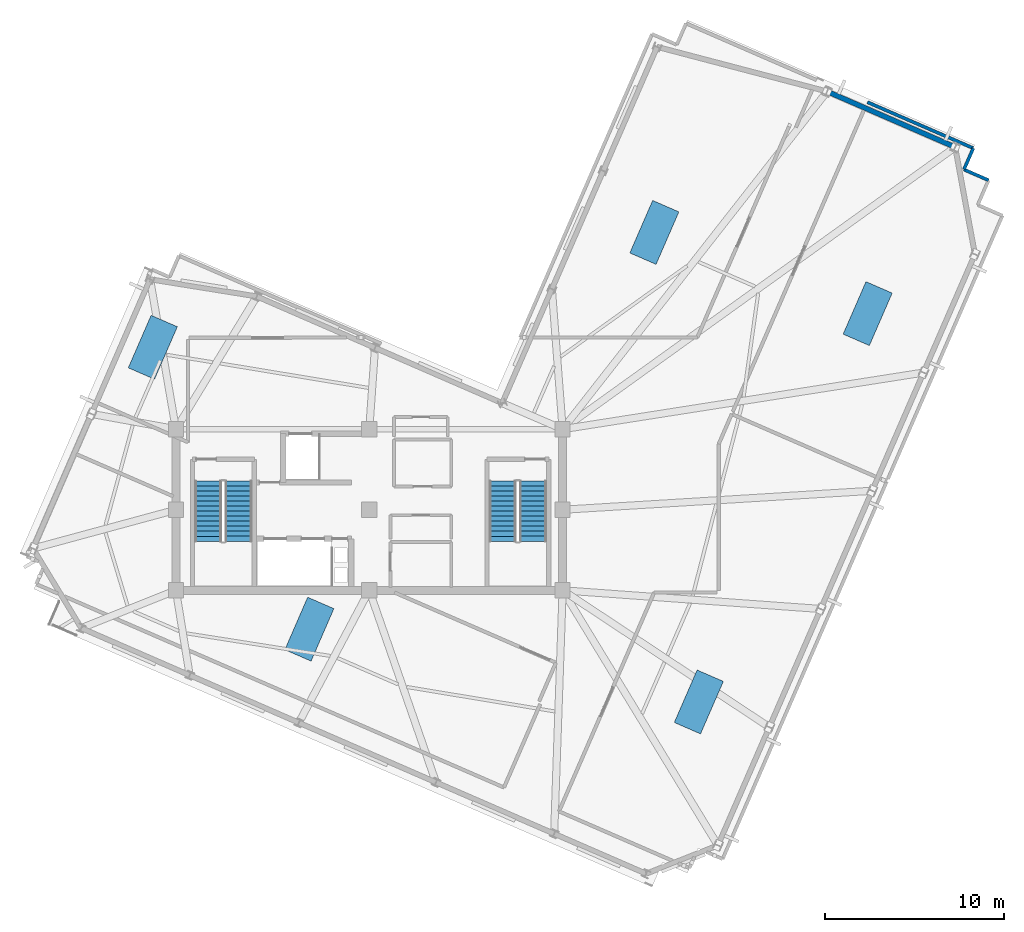
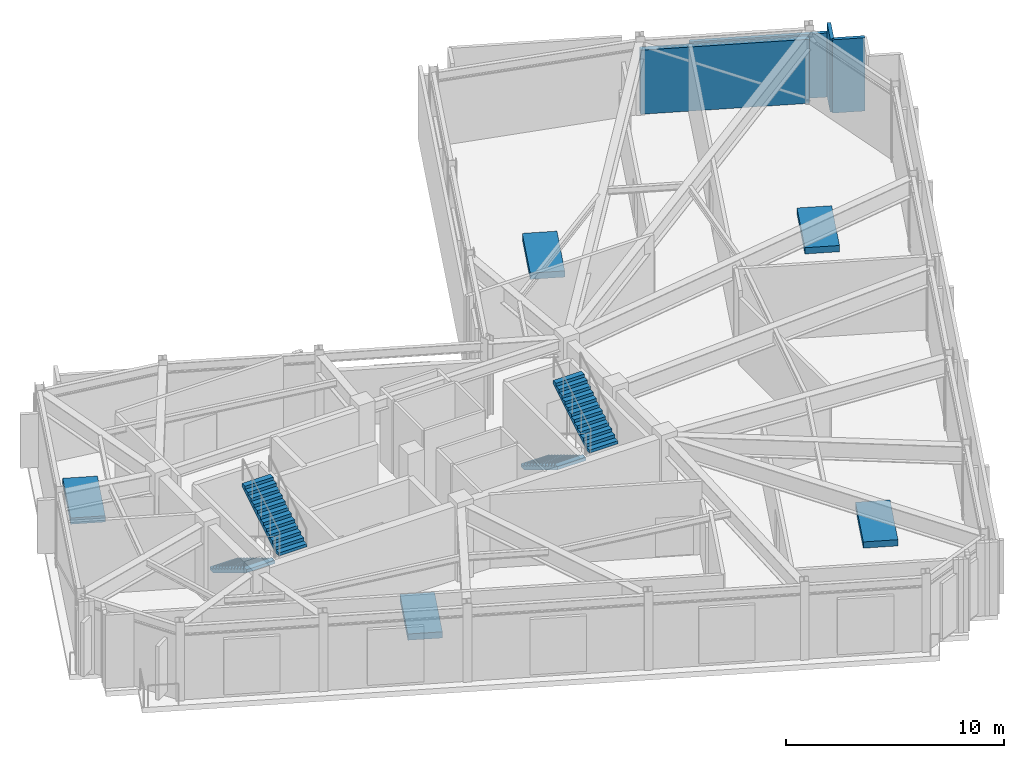
# One storey, part 8 of 11: 5 discrete accessories, 4 stair flights, 4 walls, 2 elements without a shape of their own.
"""IFC4 building model written with IfcOpenShell, lengths in metres."""

from ifc_helpers import new_model, si_unit, direction, frame, frame_2d, origin, origin_2d, place, context, subcontext, project, spatial, polyline, rectangle, outline, extrude, material, layer, layer_set, type_object, element, aggregate, save


model = new_model("IFC4")

# Units and contexts
model_context = context("Model", 3, precision=1e-05, world=origin(), true_north=direction((0.0, 1.0)))
body_context = subcontext(model_context, "Body", "Model", "MODEL_VIEW")
ifc_project = project(units=[si_unit("LENGTHUNIT", "METRE"), si_unit("AREAUNIT", "SQUARE_METRE"), si_unit("VOLUMEUNIT", "CUBIC_METRE"), si_unit("PLANEANGLEUNIT", "RADIAN"), si_unit("MASSUNIT", "GRAM", prefix="KILO")], contexts=[model_context])

# Site, building, storey
site_placement = place(None, origin())
site = spatial("IfcSite", under=ifc_project, at=site_placement, CompositionType="ELEMENT")
building_placement = place(site_placement, origin())
building = spatial("IfcBuilding", under=site, at=building_placement, Name="Gaonmaruhae Medical Tower", CompositionType="ELEMENT")
storey_placement = place(building_placement, frame((0.0, 0.0, 338.199951171875)))
storey = spatial("IfcBuildingStorey", under=building, at=storey_placement, Name="L81", CompositionType="ELEMENT", Elevation=338.199951171875)

# Walls
ifc_material_1 = material(Name="Precast concrete C45/55", Category="concrete")
ifc_layer_1 = layer(ifc_material_1, 0.280029296875)
ifc_layer_set_1 = layer_set([ifc_layer_1], Name="Precast concrete C45/55")
wall_type_1 = type_object("IfcWallType", Name="EW-280 Upper Precast Masonry-Frame Facade Wall", PredefinedType="SOLIDWALL", material=ifc_layer_set_1)
wall_1_placement = place(storey_placement, frame((50.372802734375, 35.662841796875, 0.0), z_axis=(0.0, 0.0, 1.0), x_axis=(0.917055127211, -0.398760446454, 0.0)))
element("IfcWall", 1, at=wall_1_placement, inside=storey, type_object=wall_type_1, Name="L81 Precast Masonry-Frame Wall E01-E02", PredefinedType="SOLIDWALL", context=body_context, shape_type="SweptSolid", body=[
    extrude(rectangle(XDim=7.800048828125, YDim=0.280029296875, at=frame_2d((3.89990234375, 0.0))), origin(), (0.0, 0.0, 1.0), 3.5849609375),
])
ifc_material_2 = material(Name="Gypsum board partition", Category="gypsum")
ifc_layer_2 = layer(ifc_material_2, 0.179931640625)
ifc_layer_set_2 = layer_set([ifc_layer_2], Name="Gypsum board partition")
wall_type_2 = type_object("IfcWallType", Name="PW-180 Refuge & Plant Acoustic Fire Partition", PredefinedType="PARTITIONING", material=ifc_layer_set_2)
wall_2_placement = place(storey_placement, frame((52.62109375, 35.06689453125, 0.0), z_axis=(0.0, 0.0, 1.0), x_axis=(0.917092918999, -0.398673522975, 0.0)))
element("IfcWall", 2, at=wall_2_placement, inside=storey, type_object=wall_type_2, Name="L81 Interior Partition L81-CAHU-29", PredefinedType="PARTITIONING", context=body_context, shape_type="SweptSolid", body=[
    extrude(rectangle(XDim=6.450927734375, YDim=0.179931640625, at=frame_2d((3.2255859375, 0.0))), origin(), (0.0, 0.0, 1.0), 3.5849609375),
])
wall_3_placement = place(storey_placement, frame((58.537109375, 32.4951171875, 0.0), z_axis=(0.0, 0.0, 1.0), x_axis=(-0.3991929402, -0.916866945906, 0.0)))
element("IfcWall", 3, at=wall_3_placement, inside=storey, type_object=wall_type_2, Name="L81 Interior Partition L81-CAHU-30", PredefinedType="PARTITIONING", context=body_context, shape_type="SweptSolid", body=[
    extrude(rectangle(XDim=1.30029296875, YDim=0.179931640625, at=frame_2d((0.650146484375, 0.0))), origin(), (0.0, 0.0, 1.0), 4.10009765625),
])
wall_4_placement = place(storey_placement, frame((58.01806640625, 31.302978515625, 0.0), z_axis=(0.0, 0.0, 1.0), x_axis=(0.91691738696, -0.399077067107, 0.0)))
element("IfcWall", 4, at=wall_4_placement, inside=storey, type_object=wall_type_2, Name="L81 Interior Partition L81-CAHU-31", PredefinedType="PARTITIONING", context=body_context, shape_type="SweptSolid", body=[
    extrude(rectangle(XDim=1.500732421875, YDim=0.179931640625, at=frame_2d((0.75048828125, 0.0))), origin(), (0.0, 0.0, 1.0), 4.10009765625),
])

# Stair, stair flights
ifc_material_3 = material(Name="Concrete C40/50", Category="concrete")
stair_type = type_object("IfcStairType", Name="ST-T1 Primary Core Escape Dogleg Stair", PredefinedType="TWO_QUARTER_TURN_STAIR", material=ifc_material_3)
stair_1_placement = place(storey_placement, origin())
stair_1 = element("IfcStair", 5, at=stair_1_placement, inside=storey, type_object=stair_type, Name="L81 Protected Escape Stair ST-01", PredefinedType="TWO_QUARTER_TURN_STAIR")
stair_flight_type = type_object("IfcStairFlightType", Name="SF-T1 Primary Core Precast Stair Flight", PredefinedType="STRAIGHT", material=ifc_material_3)
stair_flight_1_placement = place(storey_placement, frame((15.800048828125, 13.89990234375, 0.0), z_axis=(0.0, 0.0, 1.0), x_axis=(0.0, -1.0, 0.0)))
stair_flight_1 = element("IfcStairFlight", 6, at=stair_flight_1_placement, type_object=stair_flight_type, Name="ST-01 flight 1", NumberOfRisers=13, NumberOfTreads=12, PredefinedType="STRAIGHT", RiserHeight=0.169230769, TreadLength=0.28, context=body_context, shape_type="SweptSolid", body=[
    extrude(outline(polyline([(0.0, 0.0), (0.0, 0.169189453125), (0.280029296875, 0.169189453125), (0.280029296875, 0.33837890625), (0.56005859375, 0.33837890625), (0.56005859375, 0.5078125), (0.840087890625, 0.5078125), (0.840087890625, 0.677001953125), (1.1201171875, 0.677001953125), (1.1201171875, 0.84619140625), (1.39990234375, 0.84619140625), (1.39990234375, 1.015380859375), (1.679931640625, 1.015380859375), (1.679931640625, 1.1845703125), (1.9599609375, 1.1845703125), (1.9599609375, 1.353759765625), (2.239990234375, 1.353759765625), (2.239990234375, 1.523193359375), (2.52001953125, 1.523193359375), (2.52001953125, 1.6923828125), (2.800048828125, 1.6923828125), (2.800048828125, 1.861572265625), (3.080078125, 1.861572265625), (3.080078125, 2.03076171875), (3.360107421875, 2.03076171875), (3.360107421875, 2.199951171875), (3.360107421875, 1.855712890625), (0.289794921875, 0.0), (0.0, 0.0)])), frame((0.0, 0.75, 0.0), z_axis=(0.0, -1.0, 0.0), x_axis=(1.0, 0.0, 0.0)), (0.0, 0.0, 1.0), 1.5),
])
stair_flight_2_placement = place(storey_placement, frame((17.5, 10.5400390625, 2.199951171875), z_axis=(0.0, 0.0, 1.0), x_axis=(0.0, 1.0, 0.0)))
stair_flight_2 = element("IfcStairFlight", 7, at=stair_flight_2_placement, type_object=stair_flight_type, Name="ST-01 flight 2", NumberOfRisers=13, NumberOfTreads=12, PredefinedType="STRAIGHT", RiserHeight=0.169230769, TreadLength=0.28, context=body_context, shape_type="SweptSolid", body=[
    extrude(outline(polyline([(0.0, 0.0), (0.0, 0.169189453125), (0.280029296875, 0.169189453125), (0.280029296875, 0.33837890625), (0.56005859375, 0.33837890625), (0.56005859375, 0.5078125), (0.840087890625, 0.5078125), (0.840087890625, 0.677001953125), (1.1201171875, 0.677001953125), (1.1201171875, 0.84619140625), (1.39990234375, 0.84619140625), (1.39990234375, 1.015380859375), (1.679931640625, 1.015380859375), (1.679931640625, 1.1845703125), (1.9599609375, 1.1845703125), (1.9599609375, 1.353759765625), (2.239990234375, 1.353759765625), (2.239990234375, 1.523193359375), (2.52001953125, 1.523193359375), (2.52001953125, 1.6923828125), (2.800048828125, 1.6923828125), (2.800048828125, 1.861572265625), (3.080078125, 1.861572265625), (3.080078125, 2.03076171875), (3.360107421875, 2.03076171875), (3.360107421875, 2.199951171875), (3.360107421875, 1.855712890625), (0.289794921875, 0.0), (0.0, 0.0)])), frame((0.0, 0.75, 0.0), z_axis=(0.0, -1.0, 0.0), x_axis=(1.0, 0.0, 0.0)), (0.0, 0.0, 1.0), 1.5),
])
aggregate(stair_1, [stair_flight_1, stair_flight_2])

stair_2_placement = place(storey_placement, origin())
stair_2 = element("IfcStair", 8, at=stair_2_placement, inside=storey, type_object=stair_type, Name="L81 Protected Escape Stair ST-02", PredefinedType="TWO_QUARTER_TURN_STAIR")
stair_flight_3_placement = place(storey_placement, frame((32.25, 13.89990234375, 0.0), z_axis=(0.0, 0.0, 1.0), x_axis=(0.0, -1.0, 0.0)))
stair_flight_3 = element("IfcStairFlight", 9, at=stair_flight_3_placement, type_object=stair_flight_type, Name="ST-02 flight 1", NumberOfRisers=13, NumberOfTreads=12, PredefinedType="STRAIGHT", RiserHeight=0.169230769, TreadLength=0.28, context=body_context, shape_type="SweptSolid", body=[
    extrude(outline(polyline([(0.0, 0.0), (0.0, 0.169189453125), (0.280029296875, 0.169189453125), (0.280029296875, 0.33837890625), (0.56005859375, 0.33837890625), (0.56005859375, 0.5078125), (0.840087890625, 0.5078125), (0.840087890625, 0.677001953125), (1.1201171875, 0.677001953125), (1.1201171875, 0.84619140625), (1.39990234375, 0.84619140625), (1.39990234375, 1.015380859375), (1.679931640625, 1.015380859375), (1.679931640625, 1.1845703125), (1.9599609375, 1.1845703125), (1.9599609375, 1.353759765625), (2.239990234375, 1.353759765625), (2.239990234375, 1.523193359375), (2.52001953125, 1.523193359375), (2.52001953125, 1.6923828125), (2.800048828125, 1.6923828125), (2.800048828125, 1.861572265625), (3.080078125, 1.861572265625), (3.080078125, 2.03076171875), (3.360107421875, 2.03076171875), (3.360107421875, 2.199951171875), (3.360107421875, 1.855712890625), (0.289794921875, 0.0), (0.0, 0.0)])), frame((0.0, 0.75, 0.0), z_axis=(0.0, -1.0, 0.0), x_axis=(1.0, 0.0, 0.0)), (0.0, 0.0, 1.0), 1.5),
])
stair_flight_4_placement = place(storey_placement, frame((33.949951171875, 10.5400390625, 2.199951171875), z_axis=(0.0, 0.0, 1.0), x_axis=(0.0, 1.0, 0.0)))
stair_flight_4 = element("IfcStairFlight", 10, at=stair_flight_4_placement, type_object=stair_flight_type, Name="ST-02 flight 2", NumberOfRisers=13, NumberOfTreads=12, PredefinedType="STRAIGHT", RiserHeight=0.169230769, TreadLength=0.28, context=body_context, shape_type="SweptSolid", body=[
    extrude(outline(polyline([(0.0, 0.0), (0.0, 0.169189453125), (0.280029296875, 0.169189453125), (0.280029296875, 0.33837890625), (0.56005859375, 0.33837890625), (0.56005859375, 0.5078125), (0.840087890625, 0.5078125), (0.840087890625, 0.677001953125), (1.1201171875, 0.677001953125), (1.1201171875, 0.84619140625), (1.39990234375, 0.84619140625), (1.39990234375, 1.015380859375), (1.679931640625, 1.015380859375), (1.679931640625, 1.1845703125), (1.9599609375, 1.1845703125), (1.9599609375, 1.353759765625), (2.239990234375, 1.353759765625), (2.239990234375, 1.523193359375), (2.52001953125, 1.523193359375), (2.52001953125, 1.6923828125), (2.800048828125, 1.6923828125), (2.800048828125, 1.861572265625), (3.080078125, 1.861572265625), (3.080078125, 2.03076171875), (3.360107421875, 2.03076171875), (3.360107421875, 2.199951171875), (3.360107421875, 1.855712890625), (0.289794921875, 0.0), (0.0, 0.0)])), frame((0.0, 0.75, 0.0), z_axis=(0.0, -1.0, 0.0), x_axis=(1.0, 0.0, 0.0)), (0.0, 0.0, 1.0), 1.5),
])
aggregate(stair_2, [stair_flight_3, stair_flight_4])

# Discrete accessories
discrete_accessory_type = type_object("IfcDiscreteAccessoryType", Name="EQP-01 Crown Plant Inertia Concrete Plinth", PredefinedType="BRACKET", material=ifc_material_3)
for number, where, z_axis, x_axis, name in (
    (11, (43.206787109375, 1.56494140625, 0.0), (0.0, 0.0, 1.0), (0.398749068925, 0.917060074385, 0.0), "L81 Crown Plant Equipment Plinth 01"),
    (12, (52.63818359375, 23.255615234375, 0.0), (0.0, 0.0, 1.0), (0.398749068925, 0.917060074385, 0.0), "L81 Crown Plant Equipment Plinth 02"),
    (13, (40.723388671875, 27.791015625, 0.0), (0.0, 0.0, 1.0), (0.398749068925, 0.917060074385, 0.0), "L81 Crown Plant Equipment Plinth 03"),
    (14, (21.452880859375, 5.628662109375, 0.0), (0.0, 0.0, 1.0), (0.398749068925, 0.917060074385, 0.0), "L81 Crown Plant Equipment Plinth 04"),
    (15, (12.708984375, 21.375, 0.0), (0.0, 0.0, 1.0), (0.398749068925, 0.917060074385, 0.0), "L81 Crown Plant Equipment Plinth 05"),
):
    element("IfcDiscreteAccessory", number, at=place(storey_placement, frame(where, z_axis=z_axis, x_axis=x_axis)), inside=storey, type_object=discrete_accessory_type, Name=name, PredefinedType="BRACKET", context=body_context, shape_type="SweptSolid", body=[
        extrude(rectangle(XDim=3.199951171875, YDim=1.60009765625, at=origin_2d()), origin(), (0.0, 0.0, 1.0), 0.35009765625),
    ])

save(model, "model.ifc")
